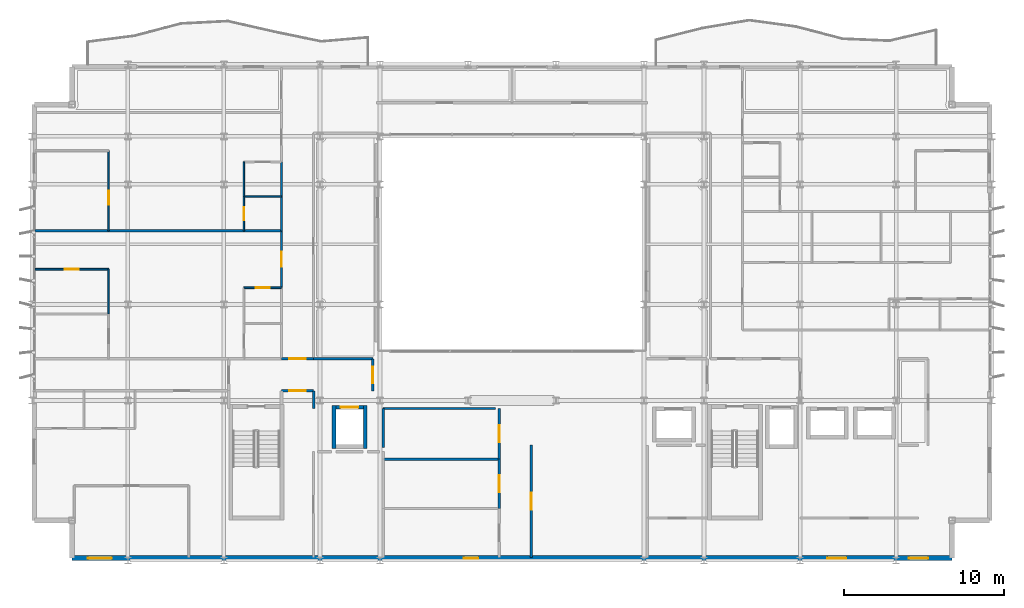
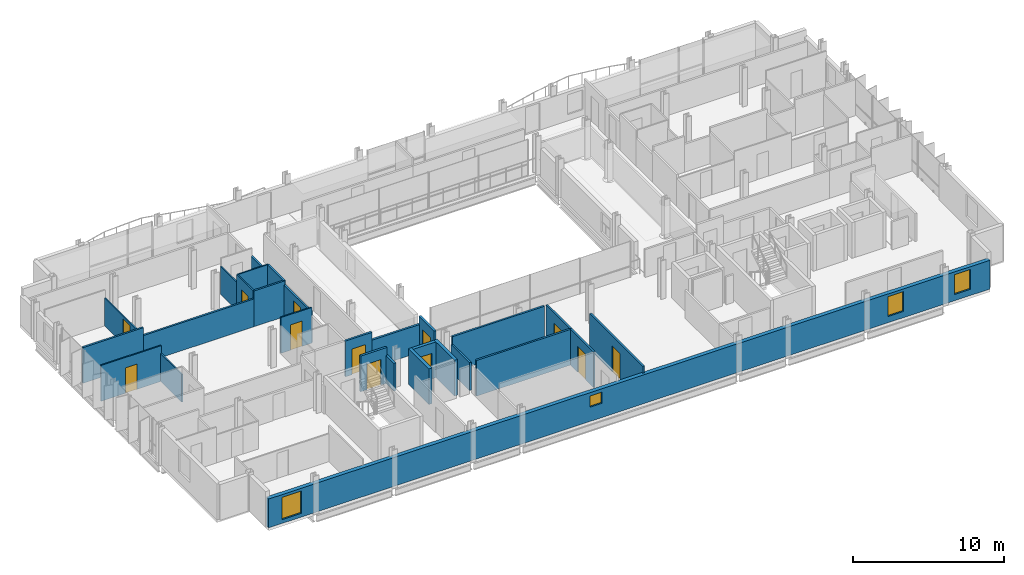
# One storey, part 30 of 38: 28 walls, 12 doors, 4 windows, 16 openings.
"""IFC4 building model written with IfcOpenShell, lengths in metres."""

from ifc_helpers import new_model, si_unit, direction, frame, frame_2d, origin, place, context, subcontext, project, spatial, rectangle, extrude, material, layer, layer_set, type_object, element, fill, save


model = new_model("IFC4")

# Units and contexts
model_context = context("Model", 3, precision=1e-05, world=origin(), true_north=direction((0.0, 1.0)))
body_context = subcontext(model_context, "Body", "Model", "MODEL_VIEW")
ifc_project = project(units=[si_unit("LENGTHUNIT", "METRE"), si_unit("AREAUNIT", "SQUARE_METRE"), si_unit("VOLUMEUNIT", "CUBIC_METRE"), si_unit("PLANEANGLEUNIT", "RADIAN"), si_unit("MASSUNIT", "GRAM", prefix="KILO")], contexts=[model_context])

# Site, building, storey
site_placement = place(None, origin())
site = spatial("IfcSite", under=ifc_project, at=site_placement, CompositionType="ELEMENT")
building_placement = place(site_placement, origin())
building = spatial("IfcBuilding", under=site, at=building_placement, Name="Brevholm Reach", CompositionType="ELEMENT")
storey_placement = place(building_placement, frame((0.0, 0.0, 166.60009765625)))
storey = spatial("IfcBuildingStorey", under=building, at=storey_placement, Name="L50", CompositionType="ELEMENT", Elevation=166.60009765625)

# Walls
ifc_material_1 = material(Name="Concrete C45/55", Category="concrete")
ifc_layer_1 = layer(ifc_material_1, 0.239990234375)
ifc_layer_set_1 = layer_set([ifc_layer_1], Name="Concrete C45/55")
wall_type_1 = type_object("IfcWallType", Name="WAL-COR-240", PredefinedType="SHEAR", material=ifc_layer_set_1)
for number, where, z_axis, x_axis, name in (
    (1, (18.8701171875, 7.0, 0.0), (0.0, 0.0, 1.0), (0.0, 1.0, 0.0), "L50 Lift FFL-1 Shaft Wall W"),
    (2, (20.830078125, 7.0, 0.0), (0.0, 0.0, 1.0), (0.0, 1.0, 0.0), "L50 Lift FFL-1 Shaft Wall E"),
):
    element("IfcWall", number, at=place(storey_placement, frame(where, z_axis=z_axis, x_axis=x_axis)), inside=storey, type_object=wall_type_1, Name=name, PredefinedType="SHEAR", context=body_context, shape_type="SweptSolid", body=[
        extrude(rectangle(XDim=2.699951171875, YDim=0.239990234375, at=frame_2d((1.35009765625, 0.0))), origin(), (0.0, 0.0, 1.0), 2.8798828125),
    ])

# Wall, opening, door
wall_1_placement = place(storey_placement, frame((18.989990234375, 9.580078125, 0.0), z_axis=(0.0, 0.0, 1.0), x_axis=(1.0, 0.0, 0.0)))
wall_1 = element("IfcWall", 3, at=wall_1_placement, inside=storey, type_object=wall_type_1, Name="L50 Lift FFL-1 Shaft Wall N", PredefinedType="SHEAR", context=body_context, shape_type="SweptSolid", body=[
    extrude(rectangle(XDim=1.719970703125, YDim=0.239990234375, at=frame_2d((0.85986328125, 0.0))), origin(), (0.0, 0.0, 1.0), 2.8798828125),
])
opening_1_placement = place(wall_1_placement, frame((0.31005859375, 0.0, 0.0)))
opening_1 = element("IfcOpeningElement", 4, at=opening_1_placement, cuts=wall_1, Name="Opening LD-FFL-1", PredefinedType="OPENING", context=body_context, shape_type="SweptSolid", body=[
    extrude(rectangle(XDim=1.10009765625, YDim=2.06005859375, at=frame_2d((0.550048828125, 1.030029296875))), frame((0.0, 0.1298828125, 0.0), z_axis=(0.0, -1.0, 0.0), x_axis=(1.0, 0.0, 0.0)), (0.0, 0.0, 1.0), 0.260009765625),
])
ifc_material_2 = material(Name="Brushed Stainless Steel Fire-Rated Sliding Lift Door", Category="steel")
door_type_1 = type_object("IfcDoorType", Name="DOR-LFT-1100", OperationType="NOTDEFINED", PredefinedType="DOOR", material=ifc_material_2)
door_1_placement = place(opening_1_placement, origin())
door_1 = element("IfcDoor", 5, at=door_1_placement, inside=storey, type_object=door_type_1, Name="L50 Lift FFL-1 Sliding Landing Door", OperationType="SLIDING_TO_RIGHT", OverallHeight=2.06005859375, OverallWidth=1.10009765625, PredefinedType="DOOR", context=body_context, shape_type="SweptSolid", body=[
    extrude(rectangle(XDim=1.10009765625, YDim=2.06005859375, at=frame_2d((0.550048828125, 1.030029296875))), frame((0.0, 0.02490234375, 0.0), z_axis=(0.0, -1.0, 0.0), x_axis=(1.0, 0.0, 0.0)), (0.0, 0.0, 1.0), 0.050048828125),
])
fill(opening_1, door_1)

# Wall, openings, windows
ifc_material_3 = material(Name="Concrete C40/50", Category="concrete")
ifc_layer_2 = layer(ifc_material_3, 0.300048828125)
ifc_layer_set_2 = layer_set([ifc_layer_2], Name="Concrete C40/50")
wall_type_2 = type_object("IfcWallType", Name="WAL-EXT-300", PredefinedType="STANDARD", material=ifc_layer_set_2)
wall_2_placement = place(storey_placement, frame((2.5, 0.14990234375, 0.0), z_axis=(0.0, 0.0, 1.0), x_axis=(1.0, 0.0, 0.0)))
wall_2 = element("IfcWall", 6, at=wall_2_placement, inside=storey, type_object=wall_type_2, Name="L50 Facade Wall WAL-L50-S", PredefinedType="STANDARD", context=body_context, shape_type="SweptSolid", body=[
    extrude(rectangle(XDim=55.0, YDim=0.300048828125, at=frame_2d((27.5, 0.0))), origin(), (0.0, 0.0, 1.0), 2.32177734375),
])
opening_2_placement = place(wall_2_placement, frame((1.0, 0.0, 0.302001953125)))
opening_2 = element("IfcOpeningElement", 7, at=opening_2_placement, cuts=wall_2, Name="Opening WN-05", PredefinedType="OPENING", context=body_context, shape_type="SweptSolid", body=[
    extrude(rectangle(XDim=1.5, YDim=1.800048828125, at=frame_2d((0.75, 0.89990234375))), frame((0.0, 0.159912109375, 0.0), z_axis=(0.0, -1.0, 0.0), x_axis=(1.0, 0.0, 0.0)), (0.0, 0.0, 1.0), 0.320068359375),
])
opening_3_placement = place(wall_2_placement, frame((24.5, 0.0, 1.14990234375)))
opening_3 = element("IfcOpeningElement", 8, at=opening_3_placement, cuts=wall_2, Name="Opening WN-09", PredefinedType="OPENING", context=body_context, shape_type="SweptSolid", body=[
    extrude(rectangle(XDim=0.89990234375, YDim=0.89990234375, at=frame_2d((0.449951171875, 0.449951171875))), frame((0.0, 0.159912109375, 0.0), z_axis=(0.0, -1.0, 0.0), x_axis=(1.0, 0.0, 0.0)), (0.0, 0.0, 1.0), 0.320068359375),
])
opening_4_placement = place(wall_2_placement, frame((47.199951171875, 0.0, 0.501953125)))
opening_4 = element("IfcOpeningElement", 9, at=opening_4_placement, cuts=wall_2, Name="Opening WN-08", PredefinedType="OPENING", context=body_context, shape_type="SweptSolid", body=[
    extrude(rectangle(XDim=1.199951171875, YDim=1.60009765625, at=frame_2d((0.60009765625, 0.800048828125))), frame((0.0, 0.159912109375, 0.0), z_axis=(0.0, -1.0, 0.0), x_axis=(1.0, 0.0, 0.0)), (0.0, 0.0, 1.0), 0.320068359375),
])
opening_5_placement = place(wall_2_placement, frame((52.300048828125, 0.0, 0.501953125)))
opening_5 = element("IfcOpeningElement", 10, at=opening_5_placement, cuts=wall_2, Name="Opening WN-08", PredefinedType="OPENING", context=body_context, shape_type="SweptSolid", body=[
    extrude(rectangle(XDim=1.199951171875, YDim=1.60009765625, at=frame_2d((0.60009765625, 0.800048828125))), frame((0.0, 0.159912109375, 0.0), z_axis=(0.0, -1.0, 0.0), x_axis=(1.0, 0.0, 0.0)), (0.0, 0.0, 1.0), 0.320068359375),
])
ifc_material_4 = material(Name="Dark Anodised Aluminium and Solar-Control IGU Glass", Category="aluminium")
window_type_1 = type_object("IfcWindowType", Name="WIN-POR-0900", PartitioningType="SINGLE_PANEL", PredefinedType="WINDOW", material=ifc_material_4)
window_1_placement = place(opening_3_placement, origin())
window_1 = element("IfcWindow", 11, at=window_1_placement, inside=storey, type_object=window_type_1, Name="L50 Window WIN-L50-S-POR", OverallHeight=0.89990234375, OverallWidth=0.89990234375, PartitioningType="SINGLE_PANEL", PredefinedType="WINDOW", context=body_context, shape_type="SweptSolid", body=[
    extrude(rectangle(XDim=0.89990234375, YDim=0.89990234375, at=frame_2d((0.449951171875, 0.449951171875))), frame((0.0, 0.030029296875, 0.0), z_axis=(0.0, -1.0, 0.0), x_axis=(1.0, 0.0, 0.0)), (0.0, 0.0, 1.0), 0.06005859375),
])
fill(opening_3, window_1)
ifc_material_5 = material(Name="Dark Anodised Aluminium and Solar-Control IGU Glass", Category="aluminium")
window_type_2 = type_object("IfcWindowType", Name="WIN-RES-1200", PartitioningType="SINGLE_PANEL", PredefinedType="WINDOW", material=ifc_material_5)
window_2_placement = place(opening_4_placement, origin())
window_2 = element("IfcWindow", 12, at=window_2_placement, inside=storey, type_object=window_type_2, Name="L50 Window WIN-L50-S-E1", OverallHeight=1.60009765625, OverallWidth=1.199951171875, PartitioningType="SINGLE_PANEL", PredefinedType="WINDOW", context=body_context, shape_type="SweptSolid", body=[
    extrude(rectangle(XDim=1.199951171875, YDim=1.60009765625, at=frame_2d((0.60009765625, 0.800048828125))), frame((0.0, 0.030029296875, 0.0), z_axis=(0.0, -1.0, 0.0), x_axis=(1.0, 0.0, 0.0)), (0.0, 0.0, 1.0), 0.06005859375),
])
fill(opening_4, window_2)
window_3_placement = place(opening_5_placement, origin())
window_3 = element("IfcWindow", 13, at=window_3_placement, inside=storey, type_object=window_type_2, Name="L50 Window WIN-L50-S-E2", OverallHeight=1.60009765625, OverallWidth=1.199951171875, PartitioningType="SINGLE_PANEL", PredefinedType="WINDOW", context=body_context, shape_type="SweptSolid", body=[
    extrude(rectangle(XDim=1.199951171875, YDim=1.60009765625, at=frame_2d((0.60009765625, 0.800048828125))), frame((0.0, 0.030029296875, 0.0), z_axis=(0.0, -1.0, 0.0), x_axis=(1.0, 0.0, 0.0)), (0.0, 0.0, 1.0), 0.06005859375),
])
fill(opening_5, window_3)
ifc_material_6 = material(Name="Dark Anodised Aluminium and Solar-Control IGU Glass", Category="aluminium")
window_type_3 = type_object("IfcWindowType", Name="WIN-RES-1500", PartitioningType="SINGLE_PANEL", PredefinedType="WINDOW", material=ifc_material_6)
window_4_placement = place(opening_2_placement, origin())
window_4 = element("IfcWindow", 14, at=window_4_placement, inside=storey, type_object=window_type_3, Name="L50 Window WIN-L50-S-W1", OverallHeight=1.800048828125, OverallWidth=1.5, PartitioningType="SINGLE_PANEL", PredefinedType="WINDOW", context=body_context, shape_type="SweptSolid", body=[
    extrude(rectangle(XDim=1.5, YDim=1.800048828125, at=frame_2d((0.75, 0.89990234375))), frame((0.0, 0.030029296875, 0.0), z_axis=(0.0, -1.0, 0.0), x_axis=(1.0, 0.0, 0.0)), (0.0, 0.0, 1.0), 0.06005859375),
])
fill(opening_2, window_4)

# Wall, opening, door
ifc_material_7 = material(Name="Moisture-Resistant Acoustic Gypsum Stud Partition 100 mm", Category="gypsum")
ifc_layer_3 = layer(ifc_material_7, 0.10009765625)
ifc_layer_set_3 = layer_set([ifc_layer_3], Name="Moisture-Resistant Acoustic Gypsum Stud Partition 100 mm")
wall_type_3 = type_object("IfcWallType", Name="WAL-PRT-100", PredefinedType="PARTITIONING", material=ifc_layer_set_3)
wall_3_placement = place(storey_placement, frame((13.25, 17.0400390625, 0.0), z_axis=(0.0, 0.0, 1.0), x_axis=(1.0, 0.0, 0.0)))
wall_3 = element("IfcWall", 15, at=wall_3_placement, inside=storey, type_object=wall_type_3, Name="L50 Internal Partition 070", PredefinedType="PARTITIONING", context=body_context, shape_type="SweptSolid", body=[
    extrude(rectangle(XDim=2.345947265625, YDim=0.10009765625, at=frame_2d((1.1728515625, 0.0))), origin(), (0.0, 0.0, 1.0), 2.8798828125),
])
opening_6_placement = place(wall_3_placement, frame((0.73291015625, 0.0, 0.0)))
opening_6 = element("IfcOpeningElement", 16, at=opening_6_placement, cuts=wall_3, Name="Opening ID-01", PredefinedType="OPENING", context=body_context, shape_type="SweptSolid", body=[
    extrude(rectangle(XDim=0.8798828125, YDim=2.0400390625, at=frame_2d((0.43994140625, 1.02001953125))), frame((0.0, 0.06005859375, 0.0), z_axis=(0.0, -1.0, 0.0), x_axis=(1.0, 0.0, 0.0)), (0.0, 0.0, 1.0), 0.1201171875),
])
ifc_material_8 = material(Name="Lacquered Ash Solid-Core Acoustic Internal Door", Category="timber")
door_type_2 = type_object("IfcDoorType", Name="DOR-INT-880", OperationType="NOTDEFINED", PredefinedType="DOOR", material=ifc_material_8)
door_2_placement = place(opening_6_placement, origin())
door_2 = element("IfcDoor", 17, at=door_2_placement, inside=storey, type_object=door_type_2, Name="L50 Internal Door 032", OperationType="SINGLE_SWING_RIGHT", OverallHeight=2.0400390625, OverallWidth=0.8798828125, PredefinedType="DOOR", context=body_context, shape_type="SweptSolid", body=[
    extrude(rectangle(XDim=0.8798828125, YDim=2.0400390625, at=frame_2d((0.43994140625, 1.02001953125))), frame((0.0, 0.02490234375, 0.0), z_axis=(0.0, -1.0, 0.0), x_axis=(1.0, 0.0, 0.0)), (0.0, 0.0, 1.0), 0.050048828125),
])
fill(opening_6, door_2)

# Wall
wall_4_placement = place(storey_placement, frame((4.800048828125, 15.404052734375, 0.0), z_axis=(0.0, 0.0, 1.0), x_axis=(0.0, 1.0, 0.0)))
element("IfcWall", 18, at=wall_4_placement, inside=storey, type_object=wall_type_3, Name="L50 Internal Partition 074", PredefinedType="PARTITIONING", context=body_context, shape_type="SweptSolid", body=[
    extrude(rectangle(XDim=2.7958984375, YDim=0.10009765625, at=frame_2d((1.39794921875, 0.0))), origin(), (0.0, 0.0, 1.0), 2.24267578125),
])

# Wall, opening, door
wall_5_placement = place(storey_placement, frame((0.199951171875, 18.199951171875, 0.0), z_axis=(0.0, 0.0, 1.0), x_axis=(1.0, 0.0, 0.0)))
wall_5 = element("IfcWall", 19, at=wall_5_placement, inside=storey, type_object=wall_type_3, Name="L50 Internal Partition 075", PredefinedType="PARTITIONING", context=body_context, shape_type="SweptSolid", body=[
    extrude(rectangle(XDim=4.60009765625, YDim=0.10009765625, at=frame_2d((2.300048828125, 0.0))), origin(), (0.0, 0.0, 1.0), 2.8798828125),
])
opening_7_placement = place(wall_5_placement, frame((1.860107421875, 0.0, 0.0)))
opening_7 = element("IfcOpeningElement", 20, at=opening_7_placement, cuts=wall_5, Name="Opening ID-01", PredefinedType="OPENING", context=body_context, shape_type="SweptSolid", body=[
    extrude(rectangle(XDim=0.8798828125, YDim=2.0400390625, at=frame_2d((0.43994140625, 1.02001953125))), frame((0.0, 0.06005859375, 0.0), z_axis=(0.0, -1.0, 0.0), x_axis=(1.0, 0.0, 0.0)), (0.0, 0.0, 1.0), 0.1201171875),
])
door_3_placement = place(opening_7_placement, origin())
door_3 = element("IfcDoor", 21, at=door_3_placement, inside=storey, type_object=door_type_2, Name="L50 Internal Door 034", OperationType="SINGLE_SWING_RIGHT", OverallHeight=2.0400390625, OverallWidth=0.8798828125, PredefinedType="DOOR", context=body_context, shape_type="SweptSolid", body=[
    extrude(rectangle(XDim=0.8798828125, YDim=2.0400390625, at=frame_2d((0.43994140625, 1.02001953125))), frame((0.0, 0.02490234375, 0.0), z_axis=(0.0, -1.0, 0.0), x_axis=(1.0, 0.0, 0.0)), (0.0, 0.0, 1.0), 0.050048828125),
])
fill(opening_7, door_3)

# Wall
wall_6_placement = place(storey_placement, frame((13.25, 22.75, 0.0), z_axis=(0.0, 0.0, 1.0), x_axis=(1.0, 0.0, 0.0)))
element("IfcWall", 22, at=wall_6_placement, inside=storey, type_object=wall_type_3, Name="L50 Internal Partition 079", PredefinedType="PARTITIONING", context=body_context, shape_type="SweptSolid", body=[
    extrude(rectangle(XDim=2.345947265625, YDim=0.10009765625, at=frame_2d((1.1728515625, 0.0))), origin(), (0.0, 0.0, 1.0), 2.8798828125),
])

# Wall, opening, door
wall_7_placement = place(storey_placement, frame((13.25, 20.60400390625, 0.0), z_axis=(0.0, 0.0, 1.0), x_axis=(0.0, 1.0, 0.0)))
wall_7 = element("IfcWall", 23, at=wall_7_placement, inside=storey, type_object=wall_type_3, Name="L50 Internal Partition 080", PredefinedType="PARTITIONING", context=body_context, shape_type="SweptSolid", body=[
    extrude(rectangle(XDim=2.14599609375, YDim=0.10009765625, at=frame_2d((1.072998046875, 0.0))), origin(), (0.0, 0.0, 1.0), 2.8798828125),
])
opening_8_placement = place(wall_7_placement, frame((0.6630859375, 0.0, 0.0)))
opening_8 = element("IfcOpeningElement", 24, at=opening_8_placement, cuts=wall_7, Name="Opening ID-03", PredefinedType="OPENING", context=body_context, shape_type="SweptSolid", body=[
    extrude(rectangle(XDim=0.820068359375, YDim=2.02001953125, at=frame_2d((0.41015625, 1.010009765625))), frame((0.0, 0.06005859375, 0.0), z_axis=(0.0, -1.0, 0.0), x_axis=(1.0, 0.0, 0.0)), (0.0, 0.0, 1.0), 0.1201171875),
])
ifc_material_9 = material(Name="Moisture-Resistant Painted Timber Internal Bathroom Door", Category="wood")
door_type_3 = type_object("IfcDoorType", Name="DOR-BATH-820", OperationType="NOTDEFINED", PredefinedType="DOOR", material=ifc_material_9)
door_4_placement = place(opening_8_placement, origin())
door_4 = element("IfcDoor", 25, at=door_4_placement, inside=storey, type_object=door_type_3, Name="L50 Internal Door 035", OperationType="SINGLE_SWING_LEFT", OverallHeight=2.02001953125, OverallWidth=0.820068359375, PredefinedType="DOOR", context=body_context, shape_type="SweptSolid", body=[
    extrude(rectangle(XDim=0.820068359375, YDim=2.02001953125, at=frame_2d((0.41015625, 1.010009765625))), frame((0.0, 0.02490234375, 0.0), z_axis=(0.0, -1.0, 0.0), x_axis=(1.0, 0.0, 0.0)), (0.0, 0.0, 1.0), 0.050048828125),
])
fill(opening_8, door_4)

# Wall
wall_8_placement = place(storey_placement, frame((13.25, 22.75390625, 0.0), z_axis=(0.0, 0.0, 1.0), x_axis=(0.0, 1.0, 0.0)))
element("IfcWall", 26, at=wall_8_placement, inside=storey, type_object=wall_type_3, Name="L50 Internal Partition 082", PredefinedType="PARTITIONING", context=body_context, shape_type="SweptSolid", body=[
    extrude(rectangle(XDim=2.14599609375, YDim=0.10009765625, at=frame_2d((1.072998046875, 0.0))), origin(), (0.0, 0.0, 1.0), 2.24267578125),
])

# Wall, opening, door
wall_9_placement = place(storey_placement, frame((4.800048828125, 20.60400390625, 0.0), z_axis=(0.0, 0.0, 1.0), x_axis=(0.0, 1.0, 0.0)))
wall_9 = element("IfcWall", 27, at=wall_9_placement, inside=storey, type_object=wall_type_3, Name="L50 Internal Partition 083", PredefinedType="PARTITIONING", context=body_context, shape_type="SweptSolid", body=[
    extrude(rectangle(XDim=4.99609375, YDim=0.10009765625, at=frame_2d((2.498046875, 0.0))), origin(), (0.0, 0.0, 1.0), 2.24267578125),
])
opening_9_placement = place(wall_9_placement, frame((1.617919921875, 0.0, 0.0)))
opening_9 = element("IfcOpeningElement", 28, at=opening_9_placement, cuts=wall_9, Name="Opening ID-01", PredefinedType="OPENING", context=body_context, shape_type="SweptSolid", body=[
    extrude(rectangle(XDim=0.8798828125, YDim=2.0400390625, at=frame_2d((0.43994140625, 1.02001953125))), frame((0.0, 0.06005859375, 0.0), z_axis=(0.0, -1.0, 0.0), x_axis=(1.0, 0.0, 0.0)), (0.0, 0.0, 1.0), 0.1201171875),
])
door_5_placement = place(opening_9_placement, origin())
door_5 = element("IfcDoor", 29, at=door_5_placement, inside=storey, type_object=door_type_2, Name="L50 Internal Door 037", OperationType="SINGLE_SWING_LEFT", OverallHeight=2.0400390625, OverallWidth=0.8798828125, PredefinedType="DOOR", context=body_context, shape_type="SweptSolid", body=[
    extrude(rectangle(XDim=0.8798828125, YDim=2.0400390625, at=frame_2d((0.43994140625, 1.02001953125))), frame((0.0, 0.02490234375, 0.0), z_axis=(0.0, -1.0, 0.0), x_axis=(1.0, 0.0, 0.0)), (0.0, 0.0, 1.0), 0.050048828125),
])
fill(opening_9, door_5)

ifc_material_10 = material(Name="Twin-Stud Acoustic Fire-Rated Gypsum Partition 140 mm", Category="gypsum")
ifc_layer_4 = layer(ifc_material_10, 0.139892578125)
ifc_layer_set_4 = layer_set([ifc_layer_4], Name="Twin-Stud Acoustic Fire-Rated Gypsum Partition 140 mm")
wall_type_4 = type_object("IfcWallType", Name="WAL-PRT-140", PredefinedType="PARTITIONING", material=ifc_layer_set_4)
wall_10_placement = place(storey_placement, frame((29.199951171875, 3.248779296875, 0.0), z_axis=(0.0, 0.0, 1.0), x_axis=(0.0, 1.0, 0.0)))
wall_10 = element("IfcWall", 30, at=wall_10_placement, inside=storey, type_object=wall_type_4, Name="L50 Internal Partition 002", PredefinedType="PARTITIONING", context=body_context, shape_type="SweptSolid", body=[
    extrude(rectangle(XDim=3.093505859375, YDim=0.139892578125, at=frame_2d((1.546875, 0.0))), origin(), (0.0, 0.0, 1.0), 2.8798828125),
])
opening_10_placement = place(wall_10_placement, frame((1.021728515625, 0.0, 0.0)))
opening_10 = element("IfcOpeningElement", 31, at=opening_10_placement, cuts=wall_10, Name="Opening FD-01", PredefinedType="OPENING", context=body_context, shape_type="SweptSolid", body=[
    extrude(rectangle(XDim=1.050048828125, YDim=2.06005859375, at=frame_2d((0.52490234375, 1.030029296875))), frame((0.0, 0.079833984375, 0.0), z_axis=(0.0, -1.0, 0.0), x_axis=(1.0, 0.0, 0.0)), (0.0, 0.0, 1.0), 0.159912109375),
])
ifc_material_11 = material(Name="Hardwood-Lipped Steel-Core Fire and Smoke Door", Category="steel")
door_type_4 = type_object("IfcDoorType", Name="DOR-INT-FD60S", OperationType="NOTDEFINED", PredefinedType="DOOR", material=ifc_material_11)
door_6_placement = place(opening_10_placement, origin())
door_6 = element("IfcDoor", 32, at=door_6_placement, inside=storey, type_object=door_type_4, Name="L50 Internal Door 002", OperationType="SINGLE_SWING_RIGHT", OverallHeight=2.06005859375, OverallWidth=1.050048828125, PredefinedType="DOOR", context=body_context, shape_type="SweptSolid", body=[
    extrude(rectangle(XDim=1.050048828125, YDim=2.06005859375, at=frame_2d((0.52490234375, 1.030029296875))), frame((0.0, 0.02490234375, 0.0), z_axis=(0.0, -1.0, 0.0), x_axis=(1.0, 0.0, 0.0)), (0.0, 0.0, 1.0), 0.050048828125),
])
fill(opening_10, door_6)

wall_11_placement = place(storey_placement, frame((29.199951171875, 6.32373046875, 0.0), z_axis=(0.0, 0.0, 1.0), x_axis=(0.0, 1.0, 0.0)))
wall_11 = element("IfcWall", 33, at=wall_11_placement, inside=storey, type_object=wall_type_4, Name="L50 Internal Partition 003", PredefinedType="PARTITIONING", context=body_context, shape_type="SweptSolid", body=[
    extrude(rectangle(XDim=3.1875, YDim=0.139892578125, at=frame_2d((1.59375, 0.0))), origin(), (0.0, 0.0, 1.0), 2.8798828125),
])
opening_11_placement = place(wall_11_placement, frame((1.06884765625, 0.0, 0.0)))
opening_11 = element("IfcOpeningElement", 34, at=opening_11_placement, cuts=wall_11, Name="Opening FD-01", PredefinedType="OPENING", context=body_context, shape_type="SweptSolid", body=[
    extrude(rectangle(XDim=1.050048828125, YDim=2.06005859375, at=frame_2d((0.52490234375, 1.030029296875))), frame((0.0, 0.079833984375, 0.0), z_axis=(0.0, -1.0, 0.0), x_axis=(1.0, 0.0, 0.0)), (0.0, 0.0, 1.0), 0.159912109375),
])
door_7_placement = place(opening_11_placement, origin())
door_7 = element("IfcDoor", 35, at=door_7_placement, inside=storey, type_object=door_type_4, Name="L50 Internal Door 003", OperationType="SINGLE_SWING_LEFT", OverallHeight=2.06005859375, OverallWidth=1.050048828125, PredefinedType="DOOR", context=body_context, shape_type="SweptSolid", body=[
    extrude(rectangle(XDim=1.050048828125, YDim=2.06005859375, at=frame_2d((0.52490234375, 1.030029296875))), frame((0.0, 0.02490234375, 0.0), z_axis=(0.0, -1.0, 0.0), x_axis=(1.0, 0.0, 0.0)), (0.0, 0.0, 1.0), 0.050048828125),
])
fill(opening_11, door_7)

wall_12_placement = place(storey_placement, frame((31.199951171875, 0.179931640625, 0.0), z_axis=(0.0, 0.0, 1.0), x_axis=(0.0, 1.0, 0.0)))
wall_12 = element("IfcWall", 36, at=wall_12_placement, inside=storey, type_object=wall_type_4, Name="L50 Internal Partition 004", PredefinedType="PARTITIONING", context=body_context, shape_type="SweptSolid", body=[
    extrude(rectangle(XDim=7.03125, YDim=0.139892578125, at=frame_2d((3.515625, 0.0))), origin(), (0.0, 0.0, 1.0), 2.8798828125),
])
opening_12_placement = place(wall_12_placement, frame((2.99072265625, 0.0, 0.0)))
opening_12 = element("IfcOpeningElement", 37, at=opening_12_placement, cuts=wall_12, Name="Opening FD-01", PredefinedType="OPENING", context=body_context, shape_type="SweptSolid", body=[
    extrude(rectangle(XDim=1.050048828125, YDim=2.06005859375, at=frame_2d((0.52490234375, 1.030029296875))), frame((0.0, 0.079833984375, 0.0), z_axis=(0.0, -1.0, 0.0), x_axis=(1.0, 0.0, 0.0)), (0.0, 0.0, 1.0), 0.159912109375),
])
door_8_placement = place(opening_12_placement, origin())
door_8 = element("IfcDoor", 38, at=door_8_placement, inside=storey, type_object=door_type_4, Name="L50 Internal Door 004", OperationType="SINGLE_SWING_RIGHT", OverallHeight=2.06005859375, OverallWidth=1.050048828125, PredefinedType="DOOR", context=body_context, shape_type="SweptSolid", body=[
    extrude(rectangle(XDim=1.050048828125, YDim=2.06005859375, at=frame_2d((0.52490234375, 1.030029296875))), frame((0.0, 0.02490234375, 0.0), z_axis=(0.0, -1.0, 0.0), x_axis=(1.0, 0.0, 0.0)), (0.0, 0.0, 1.0), 0.050048828125),
])
fill(opening_12, door_8)

# Wall
wall_13_placement = place(storey_placement, frame((21.949951171875, 6.3310546875, 0.0), z_axis=(0.0, 0.0, 1.0), x_axis=(1.0, 0.0, 0.0)))
element("IfcWall", 39, at=wall_13_placement, inside=storey, type_object=wall_type_4, Name="L50 Internal Partition 007", PredefinedType="PARTITIONING", context=body_context, shape_type="SweptSolid", body=[
    extrude(rectangle(XDim=7.24609375, YDim=0.139892578125, at=frame_2d((3.623046875, 0.0))), origin(), (0.0, 0.0, 1.0), 2.8798828125),
])

# Wall, opening, door
wall_14_placement = place(storey_placement, frame((15.60009765625, 17.03271484375, 0.0), z_axis=(0.0, 0.0, 1.0), x_axis=(0.0, 1.0, 0.0)))
wall_14 = element("IfcWall", 40, at=wall_14_placement, inside=storey, type_object=wall_type_4, Name="L50 Internal Partition 036", PredefinedType="PARTITIONING", context=body_context, shape_type="SweptSolid", body=[
    extrude(rectangle(XDim=3.57861328125, YDim=0.139892578125, at=frame_2d((1.789306640625, 0.0))), origin(), (0.0, 0.0, 1.0), 2.551513671875),
])
opening_13_placement = place(wall_14_placement, frame((1.314208984375, 0.0, 0.0)))
opening_13 = element("IfcOpeningElement", 41, at=opening_13_placement, cuts=wall_14, Name="Opening ID-30", PredefinedType="OPENING", context=body_context, shape_type="SweptSolid", body=[
    extrude(rectangle(XDim=0.949951171875, YDim=2.050048828125, at=frame_2d((0.47509765625, 1.02490234375))), frame((0.0, 0.079833984375, 0.0), z_axis=(0.0, -1.0, 0.0), x_axis=(1.0, 0.0, 0.0)), (0.0, 0.0, 1.0), 0.159912109375),
])
ifc_material_12 = material(Name="European Oak Veneered Solid-Core Fire Entrance Door", Category="timber")
door_type_5 = type_object("IfcDoorType", Name="DOR-FLT-FD30S", OperationType="NOTDEFINED", PredefinedType="DOOR", material=ifc_material_12)
door_9_placement = place(opening_13_placement, origin())
door_9 = element("IfcDoor", 42, at=door_9_placement, inside=storey, type_object=door_type_5, Name="L50 Internal Door 018", OperationType="SINGLE_SWING_RIGHT", OverallHeight=2.050048828125, OverallWidth=0.949951171875, PredefinedType="DOOR", context=body_context, shape_type="SweptSolid", body=[
    extrude(rectangle(XDim=0.949951171875, YDim=2.050048828125, at=frame_2d((0.47509765625, 1.02490234375))), frame((0.0, 0.02490234375, 0.0), z_axis=(0.0, -1.0, 0.0), x_axis=(1.0, 0.0, 0.0)), (0.0, 0.0, 1.0), 0.050048828125),
])
fill(opening_13, door_9)

# Walls
wall_15_placement = place(storey_placement, frame((15.60009765625, 20.5927734375, 0.0), z_axis=(0.0, 0.0, 1.0), x_axis=(0.0, 1.0, 0.0)))
element("IfcWall", 43, at=wall_15_placement, inside=storey, type_object=wall_type_4, Name="L50 Internal Partition 037", PredefinedType="PARTITIONING", context=body_context, shape_type="SweptSolid", body=[
    extrude(rectangle(XDim=2.16845703125, YDim=0.139892578125, at=frame_2d((1.084228515625, 0.0))), origin(), (0.0, 0.0, 1.0), 2.8798828125),
])
wall_16_placement = place(storey_placement, frame((15.60009765625, 22.74267578125, 0.0), z_axis=(0.0, 0.0, 1.0), x_axis=(0.0, 1.0, 0.0)))
element("IfcWall", 44, at=wall_16_placement, inside=storey, type_object=wall_type_4, Name="L50 Internal Partition 038", PredefinedType="PARTITIONING", context=body_context, shape_type="SweptSolid", body=[
    extrude(rectangle(XDim=2.168701171875, YDim=0.139892578125, at=frame_2d((1.08447265625, 0.0))), origin(), (0.0, 0.0, 1.0), 2.24267578125),
])
wall_17_placement = place(storey_placement, frame((13.23876953125, 20.60009765625, 0.0), z_axis=(0.0, 0.0, 1.0), x_axis=(1.0, 0.0, 0.0)))
element("IfcWall", 45, at=wall_17_placement, inside=storey, type_object=wall_type_4, Name="L50 Internal Partition 076", PredefinedType="PARTITIONING", context=body_context, shape_type="SweptSolid", body=[
    extrude(rectangle(XDim=2.357177734375, YDim=0.139892578125, at=frame_2d((1.1787109375, 0.0))), origin(), (0.0, 0.0, 1.0), 2.8798828125),
])
wall_18_placement = place(storey_placement, frame((0.199951171875, 20.60009765625, 0.0), z_axis=(0.0, 0.0, 1.0), x_axis=(1.0, 0.0, 0.0)))
element("IfcWall", 46, at=wall_18_placement, inside=storey, type_object=wall_type_4, Name="L50 Internal Partition 077", PredefinedType="PARTITIONING", context=body_context, shape_type="SweptSolid", body=[
    extrude(rectangle(XDim=4.611328125, YDim=0.139892578125, at=frame_2d((2.3056640625, 0.0))), origin(), (0.0, 0.0, 1.0), 2.8798828125),
])
wall_19_placement = place(storey_placement, frame((4.792724609375, 20.60009765625, 0.0), z_axis=(0.0, 0.0, 1.0), x_axis=(1.0, 0.0, 0.0)))
element("IfcWall", 47, at=wall_19_placement, inside=storey, type_object=wall_type_4, Name="L50 Internal Partition 078", PredefinedType="PARTITIONING", context=body_context, shape_type="SweptSolid", body=[
    extrude(rectangle(XDim=8.464599609375, YDim=0.139892578125, at=frame_2d((4.232421875, 0.0))), origin(), (0.0, 0.0, 1.0), 2.24267578125),
])
wall_20_placement = place(storey_placement, frame((21.949951171875, 9.5, 0.0), z_axis=(0.0, 0.0, 1.0), x_axis=(1.0, 0.0, 0.0)))
element("IfcWall", 48, at=wall_20_placement, inside=storey, type_object=wall_type_4, Name="L50 Internal Partition 110", PredefinedType="PARTITIONING", context=body_context, shape_type="SweptSolid", body=[
    extrude(rectangle(XDim=7.010009765625, YDim=0.139892578125, at=frame_2d((3.5048828125, 0.0))), origin(), (0.0, 0.0, 1.0), 2.8798828125),
])
wall_21_placement = place(storey_placement, frame((21.949951171875, 7.05126953125, 0.0), z_axis=(0.0, 0.0, 1.0), x_axis=(0.0, 1.0, 0.0)))
element("IfcWall", 49, at=wall_21_placement, inside=storey, type_object=wall_type_4, Name="L50 Internal Partition 111", PredefinedType="PARTITIONING", context=body_context, shape_type="SweptSolid", body=[
    extrude(rectangle(XDim=2.44873046875, YDim=0.139892578125, at=frame_2d((1.224365234375, 0.0))), origin(), (0.0, 0.0, 1.0), 2.24267578125),
])
ifc_material_13 = material(Name="Twin-Frame Fire-Rated Gypsum Board and Mineral Wool 160 mm", Category="gypsum")
ifc_layer_5 = layer(ifc_material_13, 0.159912109375)
ifc_layer_set_5 = layer_set([ifc_layer_5], Name="Twin-Frame Fire-Rated Gypsum Board and Mineral Wool 160 mm")
wall_type_5 = type_object("IfcWallType", Name="WAL-PRT-160", PredefinedType="PARTITIONING", material=ifc_layer_set_5)
wall_22_placement = place(storey_placement, frame((17.60009765625, 9.48876953125, 0.0), z_axis=(0.0, 0.0, 1.0), x_axis=(0.0, 1.0, 0.0)))
element("IfcWall", 50, at=wall_22_placement, inside=storey, type_object=wall_type_5, Name="L50 Internal Partition 017", PredefinedType="PARTITIONING", context=body_context, shape_type="SweptSolid", body=[
    extrude(rectangle(XDim=1.111328125, YDim=0.159912109375, at=frame_2d((0.5556640625, 0.0))), origin(), (0.0, 0.0, 1.0), 2.24267578125),
])

# Wall, opening, door
wall_23_placement = place(storey_placement, frame((15.60009765625, 10.60009765625, 0.0), z_axis=(0.0, 0.0, 1.0), x_axis=(1.0, 0.0, 0.0)))
wall_23 = element("IfcWall", 51, at=wall_23_placement, inside=storey, type_object=wall_type_5, Name="L50 Internal Partition 018", PredefinedType="PARTITIONING", context=body_context, shape_type="SweptSolid", body=[
    extrude(rectangle(XDim=2.0, YDim=0.159912109375, at=frame_2d((1.0, 0.0))), origin(), (0.0, 0.0, 1.0), 2.8798828125),
])
opening_14_placement = place(wall_23_placement, frame((0.47509765625, 0.0, 0.0)))
opening_14 = element("IfcOpeningElement", 52, at=opening_14_placement, cuts=wall_23, Name="Opening FD-01", PredefinedType="OPENING", context=body_context, shape_type="SweptSolid", body=[
    extrude(rectangle(XDim=1.050048828125, YDim=2.06005859375, at=frame_2d((0.52490234375, 1.030029296875))), frame((0.0, 0.08984375, 0.0), z_axis=(0.0, -1.0, 0.0), x_axis=(1.0, 0.0, 0.0)), (0.0, 0.0, 1.0), 0.179931640625),
])
door_10_placement = place(opening_14_placement, origin())
door_10 = element("IfcDoor", 53, at=door_10_placement, inside=storey, type_object=door_type_4, Name="L50 Internal Door 009", OperationType="SINGLE_SWING_LEFT", OverallHeight=2.06005859375, OverallWidth=1.050048828125, PredefinedType="DOOR", context=body_context, shape_type="SweptSolid", body=[
    extrude(rectangle(XDim=1.050048828125, YDim=2.06005859375, at=frame_2d((0.52490234375, 1.030029296875))), frame((0.0, 0.02490234375, 0.0), z_axis=(0.0, -1.0, 0.0), x_axis=(1.0, 0.0, 0.0)), (0.0, 0.0, 1.0), 0.050048828125),
])
fill(opening_14, door_10)

wall_24_placement = place(storey_placement, frame((21.300048828125, 10.588623046875, 0.0), z_axis=(0.0, 0.0, 1.0), x_axis=(0.0, 1.0, 0.0)))
wall_24 = element("IfcWall", 54, at=wall_24_placement, inside=storey, type_object=wall_type_5, Name="L50 Internal Partition 020", PredefinedType="PARTITIONING", context=body_context, shape_type="SweptSolid", body=[
    extrude(rectangle(XDim=2.011474609375, YDim=0.159912109375, at=frame_2d((1.005859375, 0.0))), origin(), (0.0, 0.0, 1.0), 2.8798828125),
])
opening_15_placement = place(wall_24_placement, frame((0.480712890625, 0.0, 0.0)))
opening_15 = element("IfcOpeningElement", 55, at=opening_15_placement, cuts=wall_24, Name="Opening FD-01", PredefinedType="OPENING", context=body_context, shape_type="SweptSolid", body=[
    extrude(rectangle(XDim=1.050048828125, YDim=2.06005859375, at=frame_2d((0.52490234375, 1.030029296875))), frame((0.0, 0.08984375, 0.0), z_axis=(0.0, -1.0, 0.0), x_axis=(1.0, 0.0, 0.0)), (0.0, 0.0, 1.0), 0.179931640625),
])
door_11_placement = place(opening_15_placement, origin())
door_11 = element("IfcDoor", 56, at=door_11_placement, inside=storey, type_object=door_type_4, Name="L50 Internal Door 010", OperationType="SINGLE_SWING_RIGHT", OverallHeight=2.06005859375, OverallWidth=1.050048828125, PredefinedType="DOOR", context=body_context, shape_type="SweptSolid", body=[
    extrude(rectangle(XDim=1.050048828125, YDim=2.06005859375, at=frame_2d((0.52490234375, 1.030029296875))), frame((0.0, 0.02490234375, 0.0), z_axis=(0.0, -1.0, 0.0), x_axis=(1.0, 0.0, 0.0)), (0.0, 0.0, 1.0), 0.050048828125),
])
fill(opening_15, door_11)

wall_25_placement = place(storey_placement, frame((15.588623046875, 12.60009765625, 0.0), z_axis=(0.0, 0.0, 1.0), x_axis=(1.0, 0.0, 0.0)))
wall_25 = element("IfcWall", 57, at=wall_25_placement, inside=storey, type_object=wall_type_5, Name="L50 Internal Partition 021", PredefinedType="PARTITIONING", context=body_context, shape_type="SweptSolid", body=[
    extrude(rectangle(XDim=2.022705078125, YDim=0.159912109375, at=frame_2d((1.01123046875, 0.0))), origin(), (0.0, 0.0, 1.0), 2.8798828125),
])
opening_16_placement = place(wall_25_placement, frame((0.486328125, 0.0, 0.0)))
opening_16 = element("IfcOpeningElement", 58, at=opening_16_placement, cuts=wall_25, Name="Opening FD-01", PredefinedType="OPENING", context=body_context, shape_type="SweptSolid", body=[
    extrude(rectangle(XDim=1.050048828125, YDim=2.06005859375, at=frame_2d((0.52490234375, 1.030029296875))), frame((0.0, 0.08984375, 0.0), z_axis=(0.0, -1.0, 0.0), x_axis=(1.0, 0.0, 0.0)), (0.0, 0.0, 1.0), 0.179931640625),
])
door_12_placement = place(opening_16_placement, origin())
door_12 = element("IfcDoor", 59, at=door_12_placement, inside=storey, type_object=door_type_4, Name="L50 Internal Door 011", OperationType="SINGLE_SWING_LEFT", OverallHeight=2.06005859375, OverallWidth=1.050048828125, PredefinedType="DOOR", context=body_context, shape_type="SweptSolid", body=[
    extrude(rectangle(XDim=1.050048828125, YDim=2.06005859375, at=frame_2d((0.52490234375, 1.030029296875))), frame((0.0, 0.02490234375, 0.0), z_axis=(0.0, -1.0, 0.0), x_axis=(1.0, 0.0, 0.0)), (0.0, 0.0, 1.0), 0.050048828125),
])
fill(opening_16, door_12)

# Wall
wall_26_placement = place(storey_placement, frame((17.5927734375, 12.60009765625, 0.0), z_axis=(0.0, 0.0, 1.0), x_axis=(1.0, 0.0, 0.0)))
element("IfcWall", 60, at=wall_26_placement, inside=storey, type_object=wall_type_5, Name="L50 Internal Partition 026", PredefinedType="PARTITIONING", context=body_context, shape_type="SweptSolid", body=[
    extrude(rectangle(XDim=3.707275390625, YDim=0.159912109375, at=frame_2d((1.853515625, 0.0))), origin(), (0.0, 0.0, 1.0), 2.24267578125),
])

save(model, "model.ifc")
